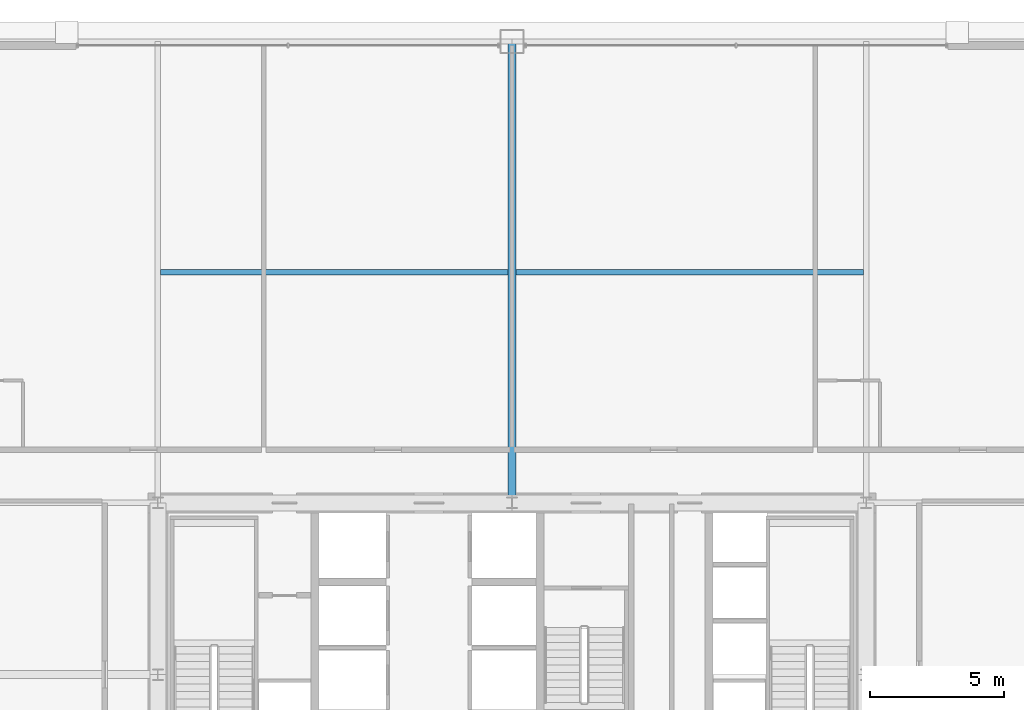
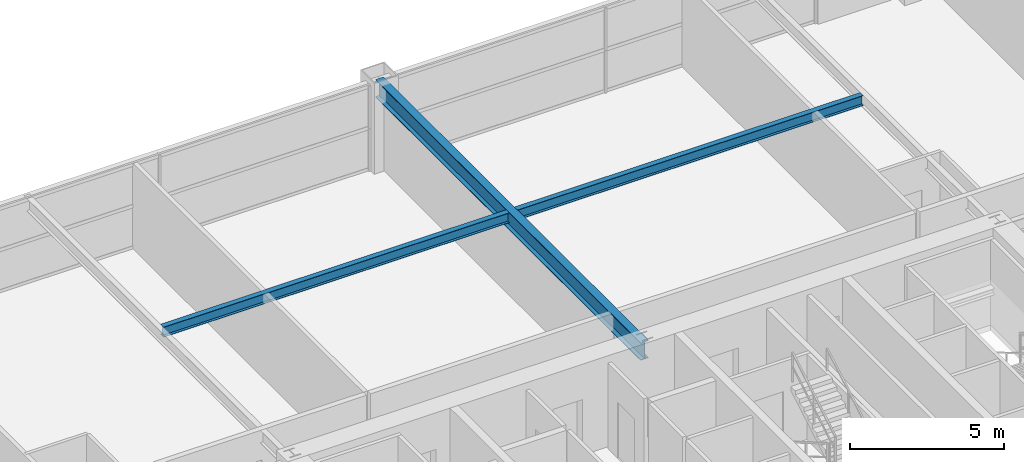
# One storey, part 25 of 37: 3 beams.
"""IFC4 building model written with IfcOpenShell, lengths in metres."""

from ifc_helpers import new_model, si_unit, direction, frame, origin, origin_2d, place, context, subcontext, project, spatial, i_section, extrude, source, transform, mapped, material, material_profile, profile_set, type_object, element, save


model = new_model("IFC4")

# Units and contexts
model_context = context("Model", 3, precision=1e-05, world=origin(), true_north=direction((0.0, 1.0)))
body_context = subcontext(model_context, "Body", "Model", "MODEL_VIEW")
ifc_project = project(units=[si_unit("LENGTHUNIT", "METRE"), si_unit("AREAUNIT", "SQUARE_METRE"), si_unit("VOLUMEUNIT", "CUBIC_METRE"), si_unit("PLANEANGLEUNIT", "RADIAN"), si_unit("MASSUNIT", "GRAM", prefix="KILO"), si_unit("THERMODYNAMICTEMPERATUREUNIT", "KELVIN"), si_unit("POWERUNIT", "WATT")], contexts=[model_context])

# Site, building, storey
site_placement = place(None, origin())
site = spatial("IfcSite", under=ifc_project, at=site_placement, CompositionType="ELEMENT")
building_placement = place(site_placement, origin())
building = spatial("IfcBuilding", under=site, at=building_placement, Name="Yuzanri Waterfront Tower", CompositionType="ELEMENT")
storey_placement = place(building_placement, frame((0.0, 0.0, 104.60009765625)))
storey = spatial("IfcBuildingStorey", under=building, at=storey_placement, Name="L27", CompositionType="ELEMENT", Elevation=104.60009765625)

# Beams
ifc_material_1 = material(Name="Steel Q355B", Category="steel")
ifc_material_profile_1 = material_profile(ifc_material_1, i_section(OverallWidth=0.199951171875, OverallDepth=0.39990234375, WebThickness=0.008056640625, FlangeThickness=0.012939453125, at=origin_2d()), Name="HN 400x200x8x13")
ifc_profile_set_1 = profile_set([ifc_material_profile_1], Name="Steel Q355B")
beam_type_1 = type_object("IfcBeamType", Name="Floor Joist Q355B HN 400x200", PredefinedType="JOIST", material=ifc_profile_set_1)
shared_shape_1 = source(origin(), body_context, "Body", "SweptSolid", [
    extrude(i_section(OverallWidth=0.199951171875, OverallDepth=0.39990234375, WebThickness=0.008056640625, FlangeThickness=0.012939453125, at=origin_2d()), origin(), (0.0, 0.0, 1.0), 12.9501953125),
])
for number, where, z_axis, x_axis, name in (
    (1, (23.89990234375, 40.800048828125, 3.179931640625), (1.0, 0.0, 0.0), (0.0, 1.0, 0.0), "L27 North Bay Joist W"),
    (2, (37.14990234375, 40.800048828125, 3.179931640625), (1.0, 0.0, 0.0), (0.0, 1.0, 0.0), "L27 North Bay Joist E"),
):
    element("IfcBeam", number, at=place(storey_placement, frame(where, z_axis=z_axis, x_axis=x_axis)), inside=storey, type_object=beam_type_1, Name=name, PredefinedType="JOIST", context=body_context, shape_type="MappedRepresentation", body=[
        mapped(shared_shape_1, transform((0.0, 0.0, 0.0), scale=1.0)),
    ])
ifc_material_2 = material(Name="Steel Q355B", Category="steel")
ifc_material_profile_2 = material_profile(ifc_material_2, i_section(OverallWidth=0.300048828125, OverallDepth=0.699951171875, WebThickness=0.012939453125, FlangeThickness=0.02392578125, at=origin_2d()), Name="HN 700x300x13x24")
ifc_profile_set_2 = profile_set([ifc_material_profile_2], Name="Steel Q355B")
beam_type_2 = type_object("IfcBeamType", Name="Primary Floor Girder Q355B HN 700x300", PredefinedType="BEAM", material=ifc_profile_set_2)
shared_shape_2 = source(origin(), body_context, "Body", "SweptSolid", [
    extrude(i_section(OverallWidth=0.300048828125, OverallDepth=0.699951171875, WebThickness=0.012939453125, FlangeThickness=0.02392578125, at=origin_2d()), origin(), (0.0, 0.0, 1.0), 17.199951171875),
])
beam_placement = place(storey_placement, frame((37.0, 32.199951171875, 3.02978515625), z_axis=(0.0, 1.0, 0.0), x_axis=(-1.0, 0.0, 0.0)))
element("IfcBeam", 3, at=beam_placement, inside=storey, type_object=beam_type_2, Name="L27 North Grid Girder", PredefinedType="BEAM", context=body_context, shape_type="MappedRepresentation", body=[
    mapped(shared_shape_2, transform((0.0, 0.0, 0.0), scale=1.0)),
])

save(model, "model.ifc")
